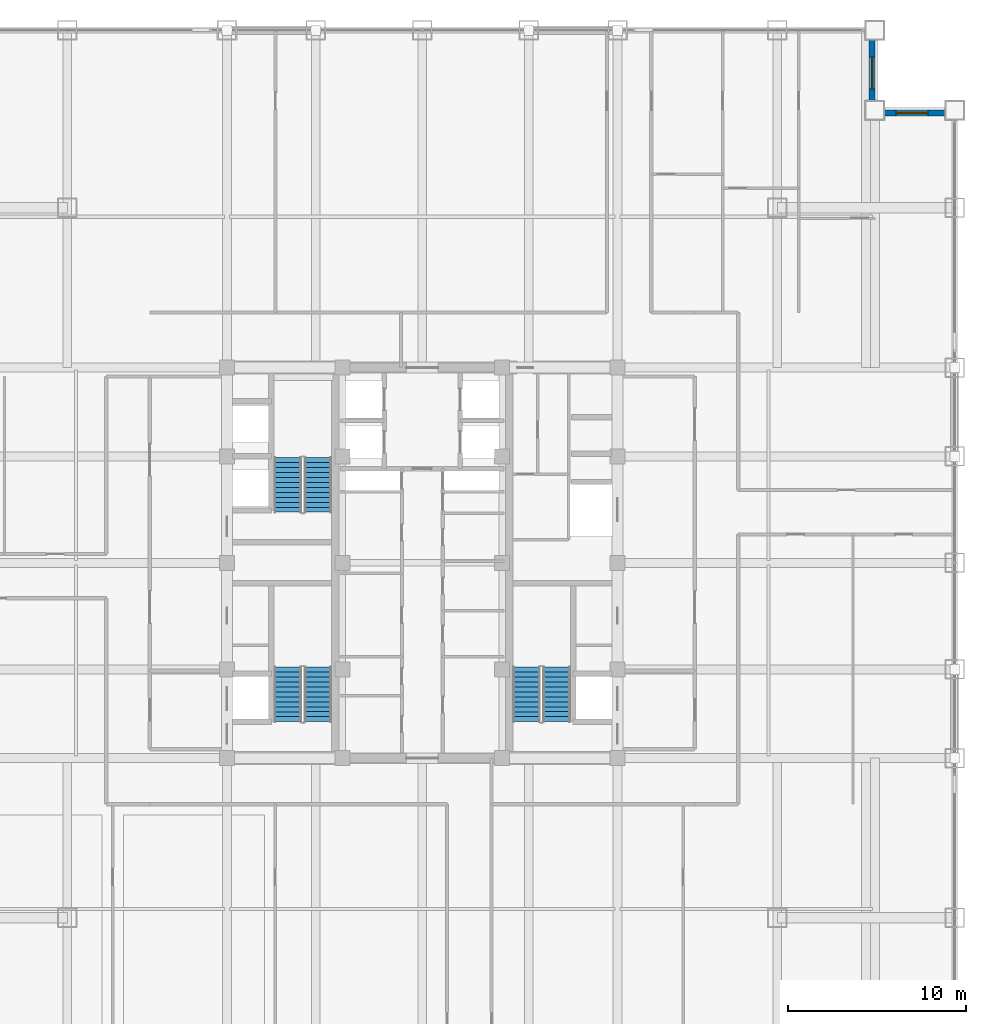
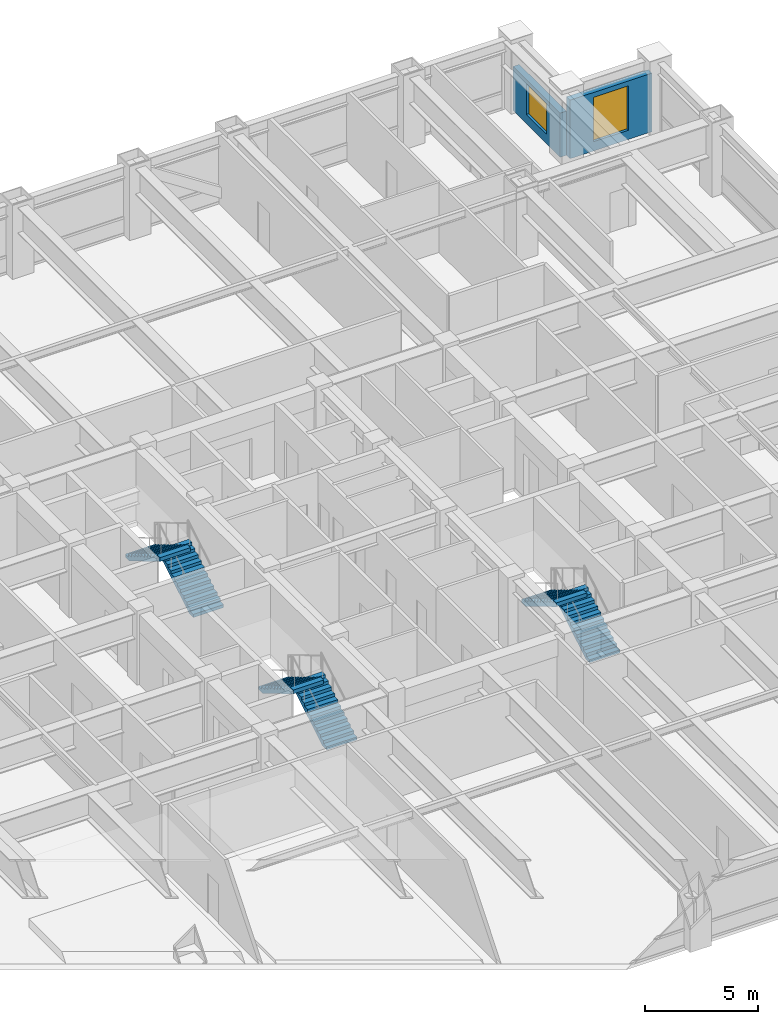
# One storey, part 24 of 26: 6 stair flights, 2 walls, 2 windows, 2 openings, 3 elements without a shape of their own.
"""IFC4 building model written with IfcOpenShell, lengths in metres."""

from ifc_helpers import new_model, si_unit, direction, frame, frame_2d, origin, place, context, subcontext, project, spatial, polyline, rectangle, outline, extrude, source, transform, mapped, material, layer, layer_set, type_object, element, fill, aggregate, save


model = new_model("IFC4")

# Units and contexts
model_context = context("Model", 3, precision=1e-05, world=origin(), true_north=direction((0.0, 1.0)))
body_context = subcontext(model_context, "Body", "Model", "MODEL_VIEW")
ifc_project = project(units=[si_unit("LENGTHUNIT", "METRE"), si_unit("AREAUNIT", "SQUARE_METRE"), si_unit("VOLUMEUNIT", "CUBIC_METRE"), si_unit("PLANEANGLEUNIT", "RADIAN"), si_unit("MASSUNIT", "GRAM", prefix="KILO")], contexts=[model_context])

# Site, building, storey
site_placement = place(None, origin())
site = spatial("IfcSite", under=ifc_project, at=site_placement, CompositionType="ELEMENT")
building_placement = place(site_placement, origin())
building = spatial("IfcBuilding", under=site, at=building_placement, Name="Khorayat Bourse Tower", CompositionType="ELEMENT")
storey_placement = place(building_placement, frame((0.0, 0.0, 207.10009765625)))
storey = spatial("IfcBuildingStorey", under=building, at=storey_placement, Name="L48", CompositionType="ELEMENT", Elevation=207.10009765625)

# Wall, opening, window
ifc_material_1 = material(Name="Precast concrete C45/55", Category="concrete")
ifc_layer = layer(ifc_material_1, 0.320068359375)
ifc_layer_set = layer_set([ifc_layer], Name="Precast concrete C45/55")
wall_type = type_object("IfcWallType", Name="WAL-EXT-STONE-320", PredefinedType="STANDARD", material=ifc_layer_set)
shared_shape_1 = source(origin(), body_context, "Body", "SweptSolid", [
    extrude(rectangle(XDim=4.179931640625, YDim=0.320068359375, at=frame_2d((2.08984375, 0.0))), origin(), (0.0, 0.0, 1.0), 3.163818359375),
])
wall_1_placement = place(storey_placement, frame((25.5, 25.340087890625, 0.0), z_axis=(0.0, 0.0, 1.0), x_axis=(1.0, 0.0, 0.0)))
wall_1 = element("IfcWall", 1, at=wall_1_placement, inside=storey, type_object=wall_type, Name="L48 Re-Entrant Notch Limestone Wall NE-H", PredefinedType="STANDARD", context=body_context, shape_type="MappedRepresentation", body=[
    mapped(shared_shape_1, transform((0.0, 0.0, 0.0), scale=1.0)),
])
shared_shape_2 = source(origin(), body_context, "Body", "SweptSolid", [
    extrude(rectangle(XDim=1.800048828125, YDim=2.39990234375, at=frame_2d((0.89990234375, 1.199951171875))), frame((0.0, 0.169921875, 0.0), z_axis=(0.0, -1.0, 0.0), x_axis=(1.0, 0.0, 0.0)), (0.0, 0.0, 1.0), 0.340087890625),
])
opening_1_placement = place(wall_1_placement, frame((1.18994140625, 0.0, 0.5)))
opening_1 = element("IfcOpeningElement", 2, at=opening_1_placement, cuts=wall_1, Name="Opening WN-04", PredefinedType="OPENING", context=body_context, shape_type="MappedRepresentation", body=[
    mapped(shared_shape_2, transform((0.0, 0.0, 0.0), scale=1.0)),
])
ifc_material_2 = material(Name="Low-E acoustic laminated double glazing", Category="glass")
window_type = type_object("IfcWindowType", Name="WIN-NOTCH-1800x2400", PartitioningType="SINGLE_PANEL", PredefinedType="WINDOW", material=ifc_material_2)
shared_shape_3 = source(origin(), body_context, "Body", "SweptSolid", [
    extrude(rectangle(XDim=1.800048828125, YDim=2.39990234375, at=frame_2d((0.89990234375, 1.199951171875))), frame((0.0, 0.030029296875, 0.0), z_axis=(0.0, -1.0, 0.0), x_axis=(1.0, 0.0, 0.0)), (0.0, 0.0, 1.0), 0.06005859375),
])
window_1_placement = place(opening_1_placement, origin())
window_1 = element("IfcWindow", 3, at=window_1_placement, inside=storey, type_object=window_type, Name="L48 Facade Window 1", OverallHeight=2.39990234375, OverallWidth=1.800048828125, PartitioningType="SINGLE_PANEL", PredefinedType="WINDOW", context=body_context, shape_type="MappedRepresentation", body=[
    mapped(shared_shape_3, transform((0.0, 0.0, 0.0), scale=1.0)),
])
fill(opening_1, window_1)

shared_shape_4 = source(origin(), body_context, "Body", "SweptSolid", [
    extrude(rectangle(XDim=4.179931640625, YDim=0.320068359375, at=frame_2d((2.08984375, 0.0))), origin(), (0.0, 0.0, 1.0), 2.3798828125),
])
wall_2_placement = place(storey_placement, frame((25.340087890625, 25.5, 0.0), z_axis=(0.0, 0.0, 1.0), x_axis=(0.0, 1.0, 0.0)))
wall_2 = element("IfcWall", 4, at=wall_2_placement, inside=storey, type_object=wall_type, Name="L48 Re-Entrant Notch Limestone Wall NE-V", PredefinedType="STANDARD", context=body_context, shape_type="MappedRepresentation", body=[
    mapped(shared_shape_4, transform((0.0, 0.0, 0.0), scale=1.0)),
])
shared_shape_5 = source(origin(), body_context, "Body", "SweptSolid", [
    extrude(rectangle(XDim=1.800048828125, YDim=1.659912109375, at=frame_2d((0.89990234375, 0.830078125))), frame((0.0, 0.169921875, 0.0), z_axis=(0.0, -1.0, 0.0), x_axis=(1.0, 0.0, 0.0)), (0.0, 0.0, 1.0), 0.340087890625),
])
opening_2_placement = place(wall_2_placement, frame((1.18994140625, 0.0, 0.5)))
opening_2 = element("IfcOpeningElement", 5, at=opening_2_placement, cuts=wall_2, Name="Opening WN-04", PredefinedType="OPENING", context=body_context, shape_type="MappedRepresentation", body=[
    mapped(shared_shape_5, transform((0.0, 0.0, 0.0), scale=1.0)),
])
shared_shape_6 = source(origin(), body_context, "Body", "SweptSolid", [
    extrude(rectangle(XDim=1.800048828125, YDim=1.659912109375, at=frame_2d((0.89990234375, 0.830078125))), frame((0.0, 0.030029296875, 0.0), z_axis=(0.0, -1.0, 0.0), x_axis=(1.0, 0.0, 0.0)), (0.0, 0.0, 1.0), 0.06005859375),
])
window_2_placement = place(opening_2_placement, origin())
window_2 = element("IfcWindow", 6, at=window_2_placement, inside=storey, type_object=window_type, Name="L48 Facade Window 1", OverallHeight=1.659912109375, OverallWidth=1.800048828125, PartitioningType="SINGLE_PANEL", PredefinedType="WINDOW", context=body_context, shape_type="MappedRepresentation", body=[
    mapped(shared_shape_6, transform((0.0, 0.0, 0.0), scale=1.0)),
])
fill(opening_2, window_2)

# Stair, stair flights
ifc_material_3 = material(Name="Concrete C40/50", Category="concrete")
stair_type = type_object("IfcStairType", Name="STR-CORE-1550", PredefinedType="HALF_TURN_STAIR", material=ifc_material_3)
stair_1_placement = place(storey_placement, origin())
stair_1 = element("IfcStair", 7, at=stair_1_placement, inside=storey, type_object=stair_type, Name="L48 Exit Stair ST-1", PredefinedType="HALF_TURN_STAIR")
stair_flight_type = type_object("IfcStairFlightType", Name="FLT-CORE-1550", PredefinedType="STRAIGHT", material=ifc_material_3)
shared_shape_7 = source(origin(), body_context, "Body", "SweptSolid", [
    extrude(outline(polyline([(0.0, 0.0), (0.0, 0.166748046875), (0.280029296875, 0.166748046875), (0.280029296875, 0.333251953125), (0.56005859375, 0.333251953125), (0.56005859375, 0.5), (0.840087890625, 0.5), (0.840087890625, 0.666748046875), (1.1201171875, 0.666748046875), (1.1201171875, 0.833251953125), (1.39990234375, 0.833251953125), (1.39990234375, 1.0), (1.679931640625, 1.0), (1.679931640625, 1.166748046875), (1.9599609375, 1.166748046875), (1.9599609375, 1.333251953125), (2.239990234375, 1.333251953125), (2.239990234375, 1.5), (2.52001953125, 1.5), (2.52001953125, 1.666748046875), (2.800048828125, 1.666748046875), (2.800048828125, 1.833251953125), (3.080078125, 1.833251953125), (3.080078125, 2.0), (3.080078125, 1.6240234375), (0.351806640625, 0.0), (0.0, 0.0)])), frame((0.0, 0.77490234375, 0.0), z_axis=(0.0, -1.0, 0.0), x_axis=(1.0, 0.0, 0.0)), (0.0, 0.0, 1.0), 1.550048828125),
])
stair_flight_1_placement = place(storey_placement, frame((-5.875, -8.949951171875, 0.0), z_axis=(0.0, 0.0, 1.0), x_axis=(0.0, 1.0, 0.0)))
stair_flight_1 = element("IfcStairFlight", 8, at=stair_flight_1_placement, type_object=stair_flight_type, Name="ST-1 flight 1", NumberOfRisers=12, NumberOfTreads=11, PredefinedType="STRAIGHT", RiserHeight=0.166666667, TreadLength=0.28, context=body_context, shape_type="MappedRepresentation", body=[
    mapped(shared_shape_7, transform((0.0, 0.0, 0.0), scale=1.0)),
])
stair_flight_2_placement = place(storey_placement, frame((-7.574951171875, -5.8701171875, 2.0), z_axis=(0.0, 0.0, 1.0), x_axis=(0.0, -1.0, 0.0)))
stair_flight_2 = element("IfcStairFlight", 9, at=stair_flight_2_placement, type_object=stair_flight_type, Name="ST-1 flight 2", NumberOfRisers=12, NumberOfTreads=11, PredefinedType="STRAIGHT", RiserHeight=0.166666667, TreadLength=0.28, context=body_context, shape_type="MappedRepresentation", body=[
    mapped(shared_shape_7, transform((0.0, 0.0, 0.0), scale=1.0)),
])
aggregate(stair_1, [stair_flight_1, stair_flight_2])

stair_2_placement = place(storey_placement, origin())
stair_2 = element("IfcStair", 10, at=stair_2_placement, inside=storey, type_object=stair_type, Name="L48 Exit Stair ST-2", PredefinedType="HALF_TURN_STAIR")
stair_flight_3_placement = place(storey_placement, frame((-5.875, 2.85009765625, 0.0), z_axis=(0.0, 0.0, 1.0), x_axis=(0.0, 1.0, 0.0)))
stair_flight_3 = element("IfcStairFlight", 11, at=stair_flight_3_placement, type_object=stair_flight_type, Name="ST-2 flight 1", NumberOfRisers=12, NumberOfTreads=11, PredefinedType="STRAIGHT", RiserHeight=0.166666667, TreadLength=0.28, context=body_context, shape_type="MappedRepresentation", body=[
    mapped(shared_shape_7, transform((0.0, 0.0, 0.0), scale=1.0)),
])
stair_flight_4_placement = place(storey_placement, frame((-7.574951171875, 5.929931640625, 2.0), z_axis=(0.0, 0.0, 1.0), x_axis=(0.0, -1.0, 0.0)))
stair_flight_4 = element("IfcStairFlight", 12, at=stair_flight_4_placement, type_object=stair_flight_type, Name="ST-2 flight 2", NumberOfRisers=12, NumberOfTreads=11, PredefinedType="STRAIGHT", RiserHeight=0.166666667, TreadLength=0.28, context=body_context, shape_type="MappedRepresentation", body=[
    mapped(shared_shape_7, transform((0.0, 0.0, 0.0), scale=1.0)),
])
aggregate(stair_2, [stair_flight_3, stair_flight_4])

stair_3_placement = place(storey_placement, origin())
stair_3 = element("IfcStair", 13, at=stair_3_placement, inside=storey, type_object=stair_type, Name="L48 Exit Stair ST-3", PredefinedType="HALF_TURN_STAIR")
stair_flight_5_placement = place(storey_placement, frame((7.574951171875, -8.949951171875, 0.0), z_axis=(0.0, 0.0, 1.0), x_axis=(0.0, 1.0, 0.0)))
stair_flight_5 = element("IfcStairFlight", 14, at=stair_flight_5_placement, type_object=stair_flight_type, Name="ST-3 flight 1", NumberOfRisers=12, NumberOfTreads=11, PredefinedType="STRAIGHT", RiserHeight=0.166666667, TreadLength=0.28, context=body_context, shape_type="MappedRepresentation", body=[
    mapped(shared_shape_7, transform((0.0, 0.0, 0.0), scale=1.0)),
])
stair_flight_6_placement = place(storey_placement, frame((5.875, -5.8701171875, 2.0), z_axis=(0.0, 0.0, 1.0), x_axis=(0.0, -1.0, 0.0)))
stair_flight_6 = element("IfcStairFlight", 15, at=stair_flight_6_placement, type_object=stair_flight_type, Name="ST-3 flight 2", NumberOfRisers=12, NumberOfTreads=11, PredefinedType="STRAIGHT", RiserHeight=0.166666667, TreadLength=0.28, context=body_context, shape_type="MappedRepresentation", body=[
    mapped(shared_shape_7, transform((0.0, 0.0, 0.0), scale=1.0)),
])
aggregate(stair_3, [stair_flight_5, stair_flight_6])

save(model, "model.ifc")
